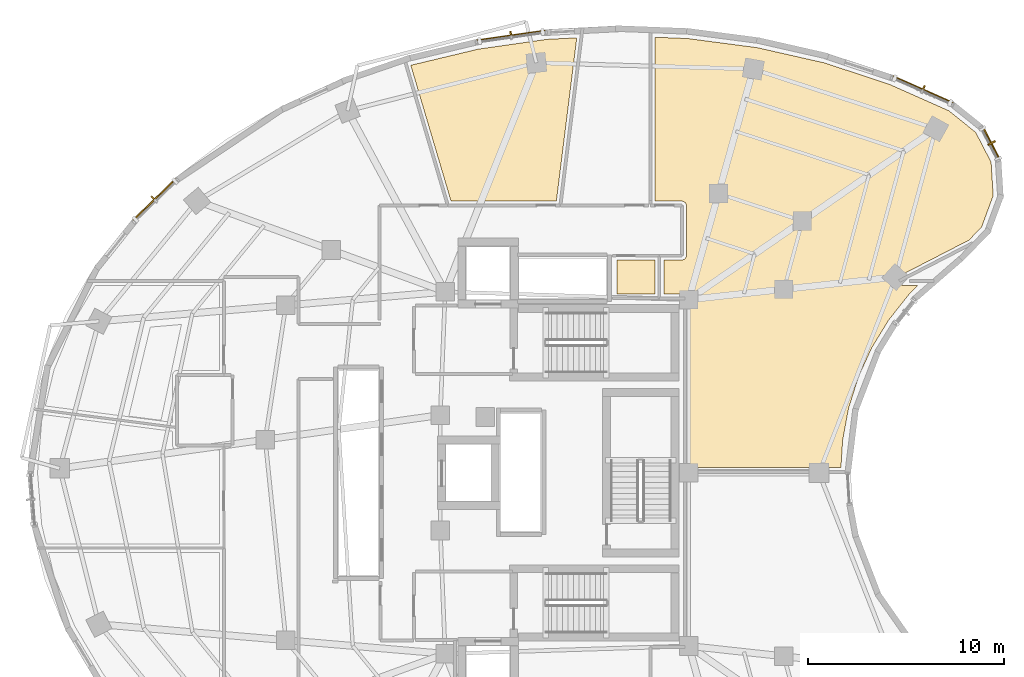
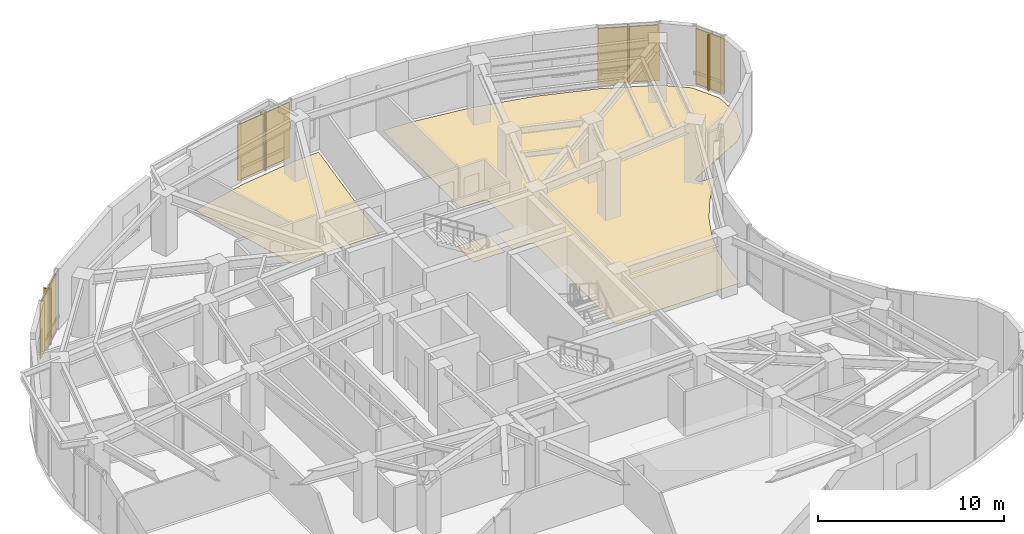
# One storey, part 15 of 15: 8 shading devices, 3 coverings.
"""IFC4 building model written with IfcOpenShell, lengths in metres."""

from ifc_helpers import new_model, si_unit, direction, frame, origin, origin_2d, place, context, subcontext, project, spatial, polyline, rectangle, outline, extrude, material, layer, layer_set, type_object, element, save


model = new_model("IFC4")

# Units and contexts
model_context = context("Model", 3, precision=1e-05, world=origin(), true_north=direction((0.0, 1.0)))
body_context = subcontext(model_context, "Body", "Model", "MODEL_VIEW")
ifc_project = project(units=[si_unit("LENGTHUNIT", "METRE"), si_unit("AREAUNIT", "SQUARE_METRE"), si_unit("VOLUMEUNIT", "CUBIC_METRE"), si_unit("PLANEANGLEUNIT", "RADIAN"), si_unit("MASSUNIT", "GRAM", prefix="KILO")], contexts=[model_context])

# Site, building, storey
site_placement = place(None, origin())
site = spatial("IfcSite", under=ifc_project, at=site_placement, CompositionType="ELEMENT")
building_placement = place(site_placement, origin())
building = spatial("IfcBuilding", under=site, at=building_placement, Name="Korentha Bioscience Tower", CompositionType="ELEMENT")
storey_placement = place(building_placement, frame((0.0, 0.0, 218.39990234375)))
storey = spatial("IfcBuildingStorey", under=building, at=storey_placement, Name="L50", CompositionType="ELEMENT", Elevation=218.39990234375)

# Covering
ifc_material_1 = material(Name="Vitrified Porcelain Tile", Category="ceramic")
ifc_layer_1 = layer(ifc_material_1, 0.014892578125, Name="Vitrified Porcelain Tile")
ifc_layer_set_1 = layer_set([ifc_layer_1], Name="Vitrified Porcelain Tile (FL-CER)")
covering_type_1 = type_object("IfcCoveringType", Name="Anti-Slip Ceramic Wet-Room Tile Flooring 15", PredefinedType="FLOORING", material=ifc_layer_set_1)
covering_1_placement = place(storey_placement, origin())
element("IfcCovering", 1, at=covering_1_placement, inside=storey, type_object=covering_type_1, Name="L50 Accessible Staff WC Floor Finish", PredefinedType="FLOORING", context=body_context, shape_type="SweptSolid", body=[
    extrude(outline(polyline([(33.8701171875, 36.1298828125), (33.8701171875, 37.8701171875), (35.830078125, 37.8701171875), (35.830078125, 36.1298828125), (33.8701171875, 36.1298828125)])), origin(), (0.0, 0.0, 1.0), 0.01513671875),
])

# Shading devices
ifc_material_2 = material(Name="Perforated Stone-Ceramic Composite", Category="masonry")
ifc_layer_2 = layer(ifc_material_2, 0.06494140625, Name="Perforated Stone-Ceramic Composite")
ifc_layer_set_2 = layer_set([ifc_layer_2], Name="Perforated Stone-Ceramic Composite (CS-01)")
shading_device_type_1 = type_object("IfcShadingDeviceType", Name="Perforated Stone-Ceramic Solar Screen Panel 65", PredefinedType="USERDEFINED", material=ifc_layer_set_2)
shading_device_1_placement = place(storey_placement, frame((49.5126953125, 46.582275390625, 0.000244140625), z_axis=(0.0, 0.0, 1.0), x_axis=(-0.913943941578, 0.405840450983, 0.0)))
element("IfcShadingDevice", 2, at=shading_device_1_placement, inside=storey, type_object=shading_device_type_1, Name="CW-L50-01 Perforated Stone-Ceramic Solar Screen", ObjectType="SCREEN", PredefinedType="USERDEFINED", context=body_context, shape_type="SweptSolid", body=[
    extrude(rectangle(XDim=3.33837890625, YDim=0.06494140625, at=origin_2d()), origin(), (0.0, 0.0, 1.0), 3.64990234375),
])
shading_device_2_placement = place(storey_placement, frame((28.4658203125, 49.341796875, 0.000244140625), z_axis=(0.0, 0.0, 1.0), x_axis=(-0.989901889134, -0.141754188259, 0.0)))
element("IfcShadingDevice", 3, at=shading_device_2_placement, inside=storey, type_object=shading_device_type_1, Name="CW-L50-07 Perforated Stone-Ceramic Solar Screen", ObjectType="SCREEN", PredefinedType="USERDEFINED", context=body_context, shape_type="SweptSolid", body=[
    extrude(rectangle(XDim=3.521484375, YDim=0.06494140625, at=origin_2d()), origin(), (0.0, 0.0, 1.0), 3.64990234375),
])
shading_device_3_placement = place(storey_placement, frame((10.24365234375, 40.961181640625, 0.000244140625), z_axis=(0.0, 0.0, 1.0), x_axis=(-0.719000359175, -0.695009700297, 0.0)))
element("IfcShadingDevice", 4, at=shading_device_3_placement, inside=storey, type_object=shading_device_type_1, Name="CW-L50-13 Perforated Stone-Ceramic Solar Screen", ObjectType="SCREEN", PredefinedType="USERDEFINED", context=body_context, shape_type="SweptSolid", body=[
    extrude(rectangle(XDim=3.01708984375, YDim=0.06494140625, at=origin_2d()), origin(), (0.0, 0.0, 1.0), 3.64990234375),
])
shading_device_4_placement = place(storey_placement, frame((53.003662109375, 43.843505859375, 0.000244140625), z_axis=(0.0, 0.0, 1.0), x_axis=(-0.459738031963, 0.888054582763, 0.0)))
element("IfcShadingDevice", 5, at=shading_device_4_placement, inside=storey, type_object=shading_device_type_1, Name="CW-L50-61 Perforated Stone-Ceramic Solar Screen", ObjectType="SCREEN", PredefinedType="USERDEFINED", context=body_context, shape_type="SweptSolid", body=[
    extrude(rectangle(XDim=1.831298828125, YDim=0.06494140625, at=origin_2d()), origin(), (0.0, 0.0, 1.0), 3.64990234375),
])

# Coverings
ifc_material_3 = material(Name="Chemical-Resistant Epoxy Resin", Category="polymer")
ifc_layer_3 = layer(ifc_material_3, 0.011962890625, Name="Chemical-Resistant Epoxy Resin")
ifc_layer_set_3 = layer_set([ifc_layer_3], Name="Chemical-Resistant Epoxy Resin (FL-EPX)")
covering_type_2 = type_object("IfcCoveringType", Name="Seamless Epoxy Laboratory Flooring 12", PredefinedType="FLOORING", material=ifc_layer_set_3)
covering_2_placement = place(storey_placement, origin())
element("IfcCovering", 6, at=covering_2_placement, inside=storey, type_object=covering_type_2, Name="L50 Scientific Writing Quiet Alcove 07 Floor Finish", PredefinedType="FLOORING", context=body_context, shape_type="SweptSolid", body=[
    extrude(outline(polyline([(35.822021484375, 49.25732421875), (37.4912109375, 49.191650390625), (41.039794921875, 48.726318359375), (44.48681640625, 47.944580078125), (47.78173828125, 46.8583984375), (50.840087890625, 45.500244140625), (52.20947265625, 44.398681640625), (52.99853515625, 42.87451171875), (53.104736328125, 41.16162109375), (52.51025390625, 39.551513671875), (51.86474609375, 38.88525390625), (48.207763671875, 37.001220703125), (48.109130859375, 36.900390625), (48.0869140625, 36.81494140625), (48.107177734375, 36.707763671875), (48.159423828125, 36.636474609375), (48.255615234375, 36.584716796875), (49.269287109375, 36.577880859375), (48.797119140625, 36.109619140625), (47.762451171875, 34.80419921875), (46.89794921875, 33.388671875), (46.224365234375, 31.911376953125), (45.7080078125, 30.27294921875), (45.413330078125, 28.6796875), (45.324951171875, 27.278076171875), (37.580078125, 27.278076171875), (37.57763671875, 35.933349609375), (37.52001953125, 36.0546875), (37.44873046875, 36.107666015625), (37.38427734375, 36.12744140625), (36.280029296875, 36.1298828125), (36.280029296875, 37.8701171875), (37.234130859375, 37.87255859375), (37.35400390625, 37.92919921875), (37.423095703125, 38.043701171875), (37.4296875, 40.661865234375), (37.408203125, 40.747802734375), (37.3701171875, 40.8046875), (37.298828125, 40.857666015625), (37.2333984375, 40.877685546875), (35.822021484375, 40.8798828125), (35.822021484375, 49.25732421875)])), origin(), (0.0, 0.0, 1.0), 0.01220703125),
])
covering_3_placement = place(storey_placement, origin())
element("IfcCovering", 7, at=covering_3_placement, inside=storey, type_object=covering_type_2, Name="L50 Researchers' Reading Lounge 09 Floor Finish", PredefinedType="FLOORING", context=body_context, shape_type="SweptSolid", body=[
    extrude(outline(polyline([(26.760498046875, 48.64306640625), (30.299072265625, 49.14990234375), (31.82470703125, 49.227783203125), (30.78271484375, 40.881103515625), (25.400146484375, 40.8798828125), (23.34326171875, 47.82421875), (26.760498046875, 48.64306640625)])), origin(), (0.0, 0.0, 1.0), 0.01220703125),
])

# Shading devices
ifc_material_4 = material(Name="Honed Travertine Limestone", Category="masonry")
ifc_layer_4 = layer(ifc_material_4, 0.080078125, Name="Honed Travertine Limestone")
ifc_layer_set_4 = layer_set([ifc_layer_4], Name="Honed Travertine Limestone (CS-02)")
shading_device_type_2 = type_object("IfcShadingDeviceType", Name="Vertical Honed Limestone Sunshade Fin 80x420", PredefinedType="USERDEFINED", material=ifc_layer_set_4)
for number, where, z_axis, x_axis, name in (
    (8, (49.520751953125, 46.600341796875, 0.000244140625), (0.0, 0.0, 1.0), (-0.913943941578, 0.405840450983, 0.0), "CW-L50-01 Limestone Sunshade Fin"),
    (9, (28.462890625, 49.361572265625, 0.000244140625), (0.0, 0.0, 1.0), (-0.989901889134, -0.141754188259, 0.0), "CW-L50-07 Limestone Sunshade Fin"),
    (10, (10.229736328125, 40.9755859375, 0.000244140625), (0.0, 0.0, 1.0), (-0.719000359175, -0.695009700297, 0.0), "CW-L50-13 Limestone Sunshade Fin"),
    (11, (53.021484375, 43.8525390625, 0.000244140625), (0.0, 0.0, 1.0), (-0.459738031963, 0.888054582763, 0.0), "CW-L50-61 Limestone Sunshade Fin"),
):
    element("IfcShadingDevice", number, at=place(storey_placement, frame(where, z_axis=z_axis, x_axis=x_axis)), inside=storey, type_object=shading_device_type_2, Name=name, ObjectType="SCREEN", PredefinedType="USERDEFINED", context=body_context, shape_type="SweptSolid", body=[
        extrude(rectangle(XDim=0.080078125, YDim=0.419921875, at=origin_2d()), origin(), (0.0, 0.0, 1.0), 3.64990234375),
    ])

save(model, "model.ifc")
